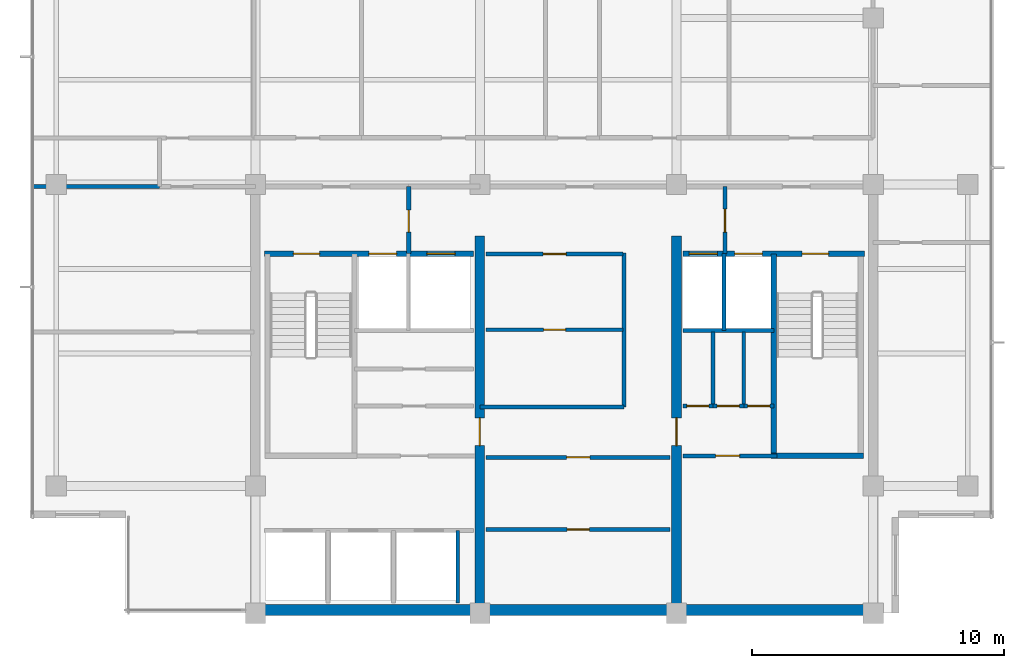
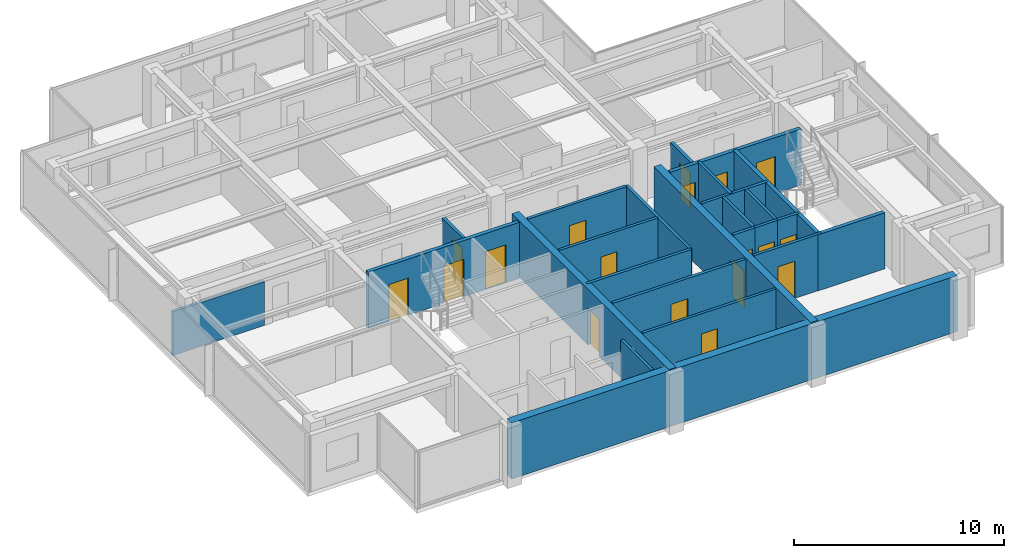
# One storey, part 6 of 11: 25 walls, 18 doors, 18 openings.
"""IFC4 building model written with IfcOpenShell, lengths in metres."""

from ifc_helpers import new_model, si_unit, direction, frame, frame_2d, origin, place, context, subcontext, project, spatial, rectangle, extrude, material, layer, layer_set, type_object, element, fill, save


model = new_model("IFC4")

# Units and contexts
model_context = context("Model", 3, precision=1e-05, world=origin(), true_north=direction((0.0, 1.0)))
body_context = subcontext(model_context, "Body", "Model", "MODEL_VIEW")
ifc_project = project(units=[si_unit("LENGTHUNIT", "METRE"), si_unit("AREAUNIT", "SQUARE_METRE"), si_unit("VOLUMEUNIT", "CUBIC_METRE"), si_unit("PLANEANGLEUNIT", "RADIAN"), si_unit("MASSUNIT", "GRAM", prefix="KILO")], contexts=[model_context])

# Site, building, storey
site_placement = place(None, origin())
site = spatial("IfcSite", under=ifc_project, at=site_placement, CompositionType="ELEMENT")
building_placement = place(site_placement, origin())
building = spatial("IfcBuilding", under=site, at=building_placement, Name="Qalmaran Belvedere Hotel", CompositionType="ELEMENT")
storey_placement = place(building_placement, frame((0.0, 0.0, 249.39990234375)))
storey = spatial("IfcBuildingStorey", under=building, at=storey_placement, Name="L64", CompositionType="ELEMENT", Elevation=249.39990234375)

# Wall, opening, door
ifc_material_1 = material(Name="Concrete C50/60", Category="concrete")
ifc_layer_1 = layer(ifc_material_1, 0.3798828125, Name="Concrete C50/60")
ifc_layer_set_1 = layer_set([ifc_layer_1], Name="Concrete C50/60")
wall_type_1 = type_object("IfcWallType", Name="WL-CORE-380-C50", PredefinedType="SHEAR", material=ifc_layer_set_1)
wall_1_placement = place(storey_placement, frame((29.199951171875, 3.5, 0.0), z_axis=(0.0, 0.0, 1.0), x_axis=(0.0, 1.0, 0.0)))
wall_1 = element("IfcWall", 1, at=wall_1_placement, inside=storey, type_object=wall_type_1, Name="L64 Core West Spine Shear Wall", PredefinedType="SHEAR", context=body_context, shape_type="SweptSolid", body=[
    extrude(rectangle(XDim=14.949951171875, YDim=0.3798828125, at=frame_2d((7.47509765625, 0.0))), origin(), (0.0, 0.0, 1.0), 3.260009765625),
])
opening_1_placement = place(wall_1_placement, frame((7.75, 0.0, 0.0), z_axis=(0.0, 0.0, 1.0), x_axis=(-1.0, 0.0, 0.0)))
opening_1 = element("IfcOpeningElement", 2, at=opening_1_placement, cuts=wall_1, Name="Opening FD90", PredefinedType="OPENING", context=body_context, shape_type="SweptSolid", body=[
    extrude(rectangle(XDim=1.10009765625, YDim=2.14990234375, at=frame_2d((0.550048828125, 1.074951171875))), frame((0.0, 0.199951171875, 0.0), z_axis=(0.0, -1.0, 0.0), x_axis=(1.0, 0.0, 0.0)), (0.0, 0.0, 1.0), 0.39990234375),
])
ifc_material_2 = material(Name="Steel S355JR", Category="steel")
door_type_1 = type_object("IfcDoorType", Name="DR-FD90-1100X2150", OperationType="NOTDEFINED", PredefinedType="DOOR", material=ifc_material_2)
door_1_placement = place(opening_1_placement, origin())
door_1 = element("IfcDoor", 3, at=door_1_placement, inside=storey, type_object=door_type_1, Name="L64 Core West Cross-Lobby Door", OperationType="SINGLE_SWING_RIGHT", OverallHeight=2.14990234375, OverallWidth=1.10009765625, PredefinedType="DOOR", context=body_context, shape_type="SweptSolid", body=[
    extrude(rectangle(XDim=1.10009765625, YDim=2.14990234375, at=frame_2d((0.550048828125, 1.074951171875))), frame((0.0, 0.02490234375, 0.0), z_axis=(0.0, -1.0, 0.0), x_axis=(1.0, 0.0, 0.0)), (0.0, 0.0, 1.0), 0.050048828125),
])
fill(opening_1, door_1)

wall_2_placement = place(storey_placement, frame((37.0, 3.5, 0.0), z_axis=(0.0, 0.0, 1.0), x_axis=(0.0, 1.0, 0.0)))
wall_2 = element("IfcWall", 4, at=wall_2_placement, inside=storey, type_object=wall_type_1, Name="L64 Core East Spine Shear Wall", PredefinedType="SHEAR", context=body_context, shape_type="SweptSolid", body=[
    extrude(rectangle(XDim=14.949951171875, YDim=0.3798828125, at=frame_2d((7.47509765625, 0.0))), origin(), (0.0, 0.0, 1.0), 3.260009765625),
])
opening_2_placement = place(wall_2_placement, frame((6.64990234375, 0.0, 0.0)))
opening_2 = element("IfcOpeningElement", 5, at=opening_2_placement, cuts=wall_2, Name="Opening FD90", PredefinedType="OPENING", context=body_context, shape_type="SweptSolid", body=[
    extrude(rectangle(XDim=1.10009765625, YDim=2.14990234375, at=frame_2d((0.550048828125, 1.074951171875))), frame((0.0, 0.199951171875, 0.0), z_axis=(0.0, -1.0, 0.0), x_axis=(1.0, 0.0, 0.0)), (0.0, 0.0, 1.0), 0.39990234375),
])
door_2_placement = place(opening_2_placement, origin())
door_2 = element("IfcDoor", 6, at=door_2_placement, inside=storey, type_object=door_type_1, Name="L64 Core East Cross-Lobby Door", OperationType="SINGLE_SWING_LEFT", OverallHeight=2.14990234375, OverallWidth=1.10009765625, PredefinedType="DOOR", context=body_context, shape_type="SweptSolid", body=[
    extrude(rectangle(XDim=1.10009765625, YDim=2.14990234375, at=frame_2d((0.550048828125, 1.074951171875))), frame((0.0, 0.02490234375, 0.0), z_axis=(0.0, -1.0, 0.0), x_axis=(1.0, 0.0, 0.0)), (0.0, 0.0, 1.0), 0.050048828125),
])
fill(opening_2, door_2)

# Walls
ifc_layer_2 = layer(ifc_material_1, 0.43994140625, Name="Concrete C50/60")
ifc_layer_set_2 = layer_set([ifc_layer_2], Name="Concrete C50/60")
wall_type_2 = type_object("IfcWallType", Name="WL-CORES-440-EXT", PredefinedType="SHEAR", material=ifc_layer_set_2)
wall_3_placement = place(storey_placement, frame((20.300048828125, 3.6298828125, 0.0), z_axis=(0.0, 0.0, 1.0), x_axis=(1.0, 0.0, 0.0)))
element("IfcWall", 7, at=wall_3_placement, inside=storey, type_object=wall_type_2, Name="L64 South Core Shear Wall", PredefinedType="SHEAR", context=body_context, shape_type="SweptSolid", body=[
    extrude(rectangle(XDim=24.5, YDim=0.43994140625, at=frame_2d((12.25, 0.0))), origin(), (0.0, 0.0, 1.0), 3.260009765625),
])
ifc_material_3 = material(Name="Gypsum Stud Partition")
ifc_layer_3 = layer(ifc_material_3, 0.14990234375, Name="Gypsum Stud Partition")
ifc_layer_set_3 = layer_set([ifc_layer_3], Name="Gypsum Stud Partition")
wall_type_3 = type_object("IfcWallType", Name="WL-INT-150-EI120", PredefinedType="PARTITIONING", material=ifc_layer_set_3)
wall_4_placement = place(storey_placement, frame((38.8798828125, 14.719970703125, 0.0), z_axis=(0.0, 0.0, 1.0), x_axis=(0.0, 1.0, 0.0)))
element("IfcWall", 8, at=wall_4_placement, inside=storey, type_object=wall_type_3, Name="L64 Partition WL-FF2M-L64", PredefinedType="PARTITIONING", context=body_context, shape_type="SweptSolid", body=[
    extrude(rectangle(XDim=3.0400390625, YDim=0.14990234375, at=frame_2d((1.52001953125, 0.0))), origin(), (0.0, 0.0, 1.0), 3.260009765625),
])
wall_5_placement = place(storey_placement, frame((28.320068359375, 3.89990234375, 0.0), z_axis=(0.0, 0.0, 1.0), x_axis=(0.0, 1.0, 0.0)))
element("IfcWall", 9, at=wall_5_placement, inside=storey, type_object=wall_type_3, Name="L64 Partition WL-POM3-L64", PredefinedType="PARTITIONING", context=body_context, shape_type="SweptSolid", body=[
    extrude(rectangle(XDim=2.880126953125, YDim=0.14990234375, at=frame_2d((1.43994140625, 0.0))), origin(), (0.0, 0.0, 1.0), 3.260009765625),
])
ifc_layer_4 = layer(ifc_material_3, 0.14990234375, Name="Gypsum Stud Partition")
ifc_layer_set_4 = layer_set([ifc_layer_4], Name="Gypsum Stud Partition")
wall_type_4 = type_object("IfcWallType", Name="WL-INT-150-EI60", PredefinedType="PARTITIONING", material=ifc_layer_set_4)
for number, where, z_axis, x_axis, name in (
    (10, (38.44140625, 11.719970703125, 0.0), (0.0, 0.0, 1.0), (0.0, 1.0, 0.0), "L64 Partition WL-L64-KEV1"),
    (11, (39.668701171875, 11.719970703125, 0.0), (0.0, 0.0, 1.0), (0.0, 1.0, 0.0), "L64 Partition WL-L64-KEV2"),
):
    element("IfcWall", number, at=place(storey_placement, frame(where, z_axis=z_axis, x_axis=x_axis)), inside=storey, type_object=wall_type_4, Name=name, PredefinedType="PARTITIONING", context=body_context, shape_type="SweptSolid", body=[
        extrude(rectangle(XDim=2.929931640625, YDim=0.14990234375, at=frame_2d((1.46484375, 0.0))), origin(), (0.0, 0.0, 1.0), 3.260009765625),
    ])

# Wall, opening, door
wall_6_placement = place(storey_placement, frame((29.449951171875, 6.81494140625, 0.0), z_axis=(0.0, 0.0, 1.0), x_axis=(1.0, 0.0, 0.0)))
wall_6 = element("IfcWall", 12, at=wall_6_placement, inside=storey, type_object=wall_type_4, Name="L64 Partition WL-L64-KPLHM", PredefinedType="PARTITIONING", context=body_context, shape_type="SweptSolid", body=[
    extrude(rectangle(XDim=7.300048828125, YDim=0.14990234375, at=frame_2d((3.64990234375, 0.0))), origin(), (0.0, 0.0, 1.0), 3.260009765625),
])
opening_3_placement = place(wall_6_placement, frame((4.08984375, 0.0, 0.0), z_axis=(0.0, 0.0, 1.0), x_axis=(-1.0, 0.0, 0.0)))
opening_3 = element("IfcOpeningElement", 13, at=opening_3_placement, cuts=wall_6, Name="Opening FD60B", PredefinedType="OPENING", context=body_context, shape_type="SweptSolid", body=[
    extrude(rectangle(XDim=0.8798828125, YDim=2.080078125, at=frame_2d((0.43994140625, 1.0400390625))), frame((0.0, 0.0849609375, 0.0), z_axis=(0.0, -1.0, 0.0), x_axis=(1.0, 0.0, 0.0)), (0.0, 0.0, 1.0), 0.169921875),
])
door_type_2 = type_object("IfcDoorType", Name="DR-FD60B-880X2080", OperationType="NOTDEFINED", PredefinedType="DOOR", material=ifc_material_2)
door_3_placement = place(opening_3_placement, origin())
door_3 = element("IfcDoor", 14, at=door_3_placement, inside=storey, type_object=door_type_2, Name="L64 Housekeeping and Linen Room Door", OperationType="SINGLE_SWING_LEFT", OverallHeight=2.080078125, OverallWidth=0.8798828125, PredefinedType="DOOR", context=body_context, shape_type="SweptSolid", body=[
    extrude(rectangle(XDim=0.8798828125, YDim=2.080078125, at=frame_2d((0.43994140625, 1.0400390625))), frame((0.0, 0.02490234375, 0.0), z_axis=(0.0, -1.0, 0.0), x_axis=(1.0, 0.0, 0.0)), (0.0, 0.0, 1.0), 0.050048828125),
])
fill(opening_3, door_3)

wall_7_placement = place(storey_placement, frame((29.449951171875, 14.7451171875, 0.0), z_axis=(0.0, 0.0, 1.0), x_axis=(1.0, 0.0, 0.0)))
wall_7 = element("IfcWall", 15, at=wall_7_placement, inside=storey, type_object=wall_type_4, Name="L64 Partition WL-L64-KPMHM", PredefinedType="PARTITIONING", context=body_context, shape_type="SweptSolid", body=[
    extrude(rectangle(XDim=5.429931640625, YDim=0.14990234375, at=frame_2d((2.71484375, 0.0))), origin(), (0.0, 0.0, 1.0), 3.260009765625),
])
opening_4_placement = place(wall_7_placement, frame((3.15478515625, 0.0, 0.0), z_axis=(0.0, 0.0, 1.0), x_axis=(-1.0, 0.0, 0.0)))
opening_4 = element("IfcOpeningElement", 16, at=opening_4_placement, cuts=wall_7, Name="Opening FD60B", PredefinedType="OPENING", context=body_context, shape_type="SweptSolid", body=[
    extrude(rectangle(XDim=0.8798828125, YDim=2.080078125, at=frame_2d((0.43994140625, 1.0400390625))), frame((0.0, 0.0849609375, 0.0), z_axis=(0.0, -1.0, 0.0), x_axis=(1.0, 0.0, 0.0)), (0.0, 0.0, 1.0), 0.169921875),
])
door_4_placement = place(opening_4_placement, origin())
door_4 = element("IfcDoor", 17, at=door_4_placement, inside=storey, type_object=door_type_2, Name="L64 Executive Butler Pantry Door", OperationType="SINGLE_SWING_LEFT", OverallHeight=2.080078125, OverallWidth=0.8798828125, PredefinedType="DOOR", context=body_context, shape_type="SweptSolid", body=[
    extrude(rectangle(XDim=0.8798828125, YDim=2.080078125, at=frame_2d((0.43994140625, 1.0400390625))), frame((0.0, 0.02490234375, 0.0), z_axis=(0.0, -1.0, 0.0), x_axis=(1.0, 0.0, 0.0)), (0.0, 0.0, 1.0), 0.050048828125),
])
fill(opening_4, door_4)

ifc_layer_5 = layer(ifc_material_3, 0.159912109375, Name="Gypsum Stud Partition")
ifc_layer_set_5 = layer_set([ifc_layer_5], Name="Gypsum Stud Partition")
wall_type_5 = type_object("IfcWallType", Name="WL-INT-160-EI120", PredefinedType="PARTITIONING", material=ifc_layer_set_5)
wall_8_placement = place(storey_placement, frame((26.3798828125, 17.760009765625, 0.0), z_axis=(0.0, 0.0, 1.0), x_axis=(0.0, 1.0, 0.0)))
wall_8 = element("IfcWall", 18, at=wall_8_placement, inside=storey, type_object=wall_type_5, Name="L64 Partition WL-FFSV1-L64", PredefinedType="PARTITIONING", context=body_context, shape_type="SweptSolid", body=[
    extrude(rectangle(XDim=2.659912109375, YDim=0.159912109375, at=frame_2d((1.330078125, 0.0))), origin(), (0.0, 0.0, 1.0), 2.781982421875),
])
opening_5_placement = place(wall_8_placement, frame((0.85009765625, 0.0, 0.0)))
opening_5 = element("IfcOpeningElement", 19, at=opening_5_placement, cuts=wall_8, Name="Opening FD60B", PredefinedType="OPENING", context=body_context, shape_type="SweptSolid", body=[
    extrude(rectangle(XDim=0.8798828125, YDim=2.080078125, at=frame_2d((0.43994140625, 1.0400390625))), frame((0.0, 0.08984375, 0.0), z_axis=(0.0, -1.0, 0.0), x_axis=(1.0, 0.0, 0.0)), (0.0, 0.0, 1.0), 0.179931640625),
])
door_5_placement = place(opening_5_placement, origin())
door_5 = element("IfcDoor", 20, at=door_5_placement, inside=storey, type_object=door_type_2, Name="L64 Service Lobby West Door", OperationType="SINGLE_SWING_RIGHT", OverallHeight=2.080078125, OverallWidth=0.8798828125, PredefinedType="DOOR", context=body_context, shape_type="SweptSolid", body=[
    extrude(rectangle(XDim=0.8798828125, YDim=2.080078125, at=frame_2d((0.43994140625, 1.0400390625))), frame((0.0, 0.02490234375, 0.0), z_axis=(0.0, -1.0, 0.0), x_axis=(1.0, 0.0, 0.0)), (0.0, 0.0, 1.0), 0.050048828125),
])
fill(opening_5, door_5)

wall_9_placement = place(storey_placement, frame((38.919921875, 17.760009765625, 0.0), z_axis=(0.0, 0.0, 1.0), x_axis=(0.0, 1.0, 0.0)))
wall_9 = element("IfcWall", 21, at=wall_9_placement, inside=storey, type_object=wall_type_5, Name="L64 Partition WL-FFSV2-L64", PredefinedType="PARTITIONING", context=body_context, shape_type="SweptSolid", body=[
    extrude(rectangle(XDim=2.659912109375, YDim=0.159912109375, at=frame_2d((1.330078125, 0.0))), origin(), (0.0, 0.0, 1.0), 2.781982421875),
])
opening_6_placement = place(wall_9_placement, frame((1.77001953125, 0.0, 0.0), z_axis=(0.0, 0.0, 1.0), x_axis=(-1.0, 0.0, 0.0)))
opening_6 = element("IfcOpeningElement", 22, at=opening_6_placement, cuts=wall_9, Name="Opening FD60S1", PredefinedType="OPENING", context=body_context, shape_type="SweptSolid", body=[
    extrude(rectangle(XDim=0.919921875, YDim=2.080078125, at=frame_2d((0.4599609375, 1.0400390625))), frame((0.0, 0.08984375, 0.0), z_axis=(0.0, -1.0, 0.0), x_axis=(1.0, 0.0, 0.0)), (0.0, 0.0, 1.0), 0.179931640625),
])
ifc_material_4 = material(Name="Engineered Oak Veneer")
door_type_3 = type_object("IfcDoorType", Name="DR-FD60S-920X2080", OperationType="NOTDEFINED", PredefinedType="DOOR", material=ifc_material_4)
door_6_placement = place(opening_6_placement, origin())
door_6 = element("IfcDoor", 23, at=door_6_placement, inside=storey, type_object=door_type_3, Name="L64 Service Lobby East Door", OperationType="SINGLE_SWING_LEFT", OverallHeight=2.080078125, OverallWidth=0.919921875, PredefinedType="DOOR", context=body_context, shape_type="SweptSolid", body=[
    extrude(rectangle(XDim=0.919921875, YDim=2.080078125, at=frame_2d((0.4599609375, 1.0400390625))), frame((0.0, 0.02490234375, 0.0), z_axis=(0.0, -1.0, 0.0), x_axis=(1.0, 0.0, 0.0)), (0.0, 0.0, 1.0), 0.050048828125),
])
fill(opening_6, door_6)

# Wall
wall_10_placement = place(storey_placement, frame((37.25, 14.719970703125, 0.0), z_axis=(0.0, 0.0, 1.0), x_axis=(1.0, 0.0, 0.0)))
element("IfcWall", 24, at=wall_10_placement, inside=storey, type_object=wall_type_5, Name="L64 Partition WL-FF2S-L64", PredefinedType="PARTITIONING", context=body_context, shape_type="SweptSolid", body=[
    extrude(rectangle(XDim=3.610107421875, YDim=0.159912109375, at=frame_2d((1.80517578125, 0.0))), origin(), (0.0, 0.0, 1.0), 3.260009765625),
])

# Wall, opening, door
ifc_layer_6 = layer(ifc_material_3, 0.159912109375, Name="Gypsum Stud Partition")
ifc_layer_set_6 = layer_set([ifc_layer_6], Name="Gypsum Stud Partition")
wall_type_6 = type_object("IfcWallType", Name="WL-INT-160-EI60", PredefinedType="PARTITIONING", material=ifc_layer_set_6)
wall_11_placement = place(storey_placement, frame((37.25, 11.719970703125, 0.0), z_axis=(0.0, 0.0, 1.0), x_axis=(1.0, 0.0, 0.0)))
wall_11 = element("IfcWall", 25, at=wall_11_placement, inside=storey, type_object=wall_type_6, Name="L64 Partition WL-L64-KEE1", PredefinedType="PARTITIONING", context=body_context, shape_type="SweptSolid", body=[
    extrude(rectangle(XDim=1.19140625, YDim=0.159912109375, at=frame_2d((0.595703125, 0.0))), origin(), (0.0, 0.0, 1.0), 3.260009765625),
])
opening_7_placement = place(wall_11_placement, frame((0.155517578125, 0.0, 0.0)))
opening_7 = element("IfcOpeningElement", 26, at=opening_7_placement, cuts=wall_11, Name="Opening FD60B", PredefinedType="OPENING", context=body_context, shape_type="SweptSolid", body=[
    extrude(rectangle(XDim=0.8798828125, YDim=2.080078125, at=frame_2d((0.43994140625, 1.0400390625))), frame((0.0, 0.08984375, 0.0), z_axis=(0.0, -1.0, 0.0), x_axis=(1.0, 0.0, 0.0)), (0.0, 0.0, 1.0), 0.179931640625),
])
door_7_placement = place(opening_7_placement, origin())
door_7 = element("IfcDoor", 27, at=door_7_placement, inside=storey, type_object=door_type_2, Name="L64 Hotel Linen Closet Door", OperationType="SINGLE_SWING_LEFT", OverallHeight=2.080078125, OverallWidth=0.8798828125, PredefinedType="DOOR", context=body_context, shape_type="SweptSolid", body=[
    extrude(rectangle(XDim=0.8798828125, YDim=2.080078125, at=frame_2d((0.43994140625, 1.0400390625))), frame((0.0, 0.02490234375, 0.0), z_axis=(0.0, -1.0, 0.0), x_axis=(1.0, 0.0, 0.0)), (0.0, 0.0, 1.0), 0.050048828125),
])
fill(opening_7, door_7)

wall_12_placement = place(storey_placement, frame((38.44140625, 11.719970703125, 0.0), z_axis=(0.0, 0.0, 1.0), x_axis=(1.0, 0.0, 0.0)))
wall_12 = element("IfcWall", 28, at=wall_12_placement, inside=storey, type_object=wall_type_6, Name="L64 Partition WL-L64-KEE2", PredefinedType="PARTITIONING", context=body_context, shape_type="SweptSolid", body=[
    extrude(rectangle(XDim=1.227294921875, YDim=0.159912109375, at=frame_2d((0.61376953125, 0.0))), origin(), (0.0, 0.0, 1.0), 3.260009765625),
])
opening_8_placement = place(wall_12_placement, frame((0.173583984375, 0.0, 0.0)))
opening_8 = element("IfcOpeningElement", 29, at=opening_8_placement, cuts=wall_12, Name="Opening FD60B", PredefinedType="OPENING", context=body_context, shape_type="SweptSolid", body=[
    extrude(rectangle(XDim=0.8798828125, YDim=2.080078125, at=frame_2d((0.43994140625, 1.0400390625))), frame((0.0, 0.08984375, 0.0), z_axis=(0.0, -1.0, 0.0), x_axis=(1.0, 0.0, 0.0)), (0.0, 0.0, 1.0), 0.179931640625),
])
door_8_placement = place(opening_8_placement, origin())
door_8 = element("IfcDoor", 30, at=door_8_placement, inside=storey, type_object=door_type_2, Name="L64 Guest Ice and Beverage Pantry Door", OperationType="SINGLE_SWING_RIGHT", OverallHeight=2.080078125, OverallWidth=0.8798828125, PredefinedType="DOOR", context=body_context, shape_type="SweptSolid", body=[
    extrude(rectangle(XDim=0.8798828125, YDim=2.080078125, at=frame_2d((0.43994140625, 1.0400390625))), frame((0.0, 0.02490234375, 0.0), z_axis=(0.0, -1.0, 0.0), x_axis=(1.0, 0.0, 0.0)), (0.0, 0.0, 1.0), 0.050048828125),
])
fill(opening_8, door_8)

wall_13_placement = place(storey_placement, frame((39.668701171875, 11.719970703125, 0.0), z_axis=(0.0, 0.0, 1.0), x_axis=(1.0, 0.0, 0.0)))
wall_13 = element("IfcWall", 31, at=wall_13_placement, inside=storey, type_object=wall_type_6, Name="L64 Partition WL-L64-KEE3", PredefinedType="PARTITIONING", context=body_context, shape_type="SweptSolid", body=[
    extrude(rectangle(XDim=1.19140625, YDim=0.159912109375, at=frame_2d((0.595703125, 0.0))), origin(), (0.0, 0.0, 1.0), 3.260009765625),
])
opening_9_placement = place(wall_13_placement, frame((0.155517578125, 0.0, 0.0)))
opening_9 = element("IfcOpeningElement", 32, at=opening_9_placement, cuts=wall_13, Name="Opening FD60B", PredefinedType="OPENING", context=body_context, shape_type="SweptSolid", body=[
    extrude(rectangle(XDim=0.8798828125, YDim=2.080078125, at=frame_2d((0.43994140625, 1.0400390625))), frame((0.0, 0.08984375, 0.0), z_axis=(0.0, -1.0, 0.0), x_axis=(1.0, 0.0, 0.0)), (0.0, 0.0, 1.0), 0.179931640625),
])
door_9_placement = place(opening_9_placement, origin())
door_9 = element("IfcDoor", 33, at=door_9_placement, inside=storey, type_object=door_type_2, Name="L64 Cleaner Equipment Store Door", OperationType="SINGLE_SWING_LEFT", OverallHeight=2.080078125, OverallWidth=0.8798828125, PredefinedType="DOOR", context=body_context, shape_type="SweptSolid", body=[
    extrude(rectangle(XDim=0.8798828125, YDim=2.080078125, at=frame_2d((0.43994140625, 1.0400390625))), frame((0.0, 0.02490234375, 0.0), z_axis=(0.0, -1.0, 0.0), x_axis=(1.0, 0.0, 0.0)), (0.0, 0.0, 1.0), 0.050048828125),
])
fill(opening_9, door_9)

wall_14_placement = place(storey_placement, frame((37.25, 9.739990234375, 0.0), z_axis=(0.0, 0.0, 1.0), x_axis=(1.0, 0.0, 0.0)))
wall_14 = element("IfcWall", 34, at=wall_14_placement, inside=storey, type_object=wall_type_6, Name="L64 Partition WL-PHFR-L64", PredefinedType="PARTITIONING", context=body_context, shape_type="SweptSolid", body=[
    extrude(rectangle(XDim=3.72998046875, YDim=0.159912109375, at=frame_2d((1.864990234375, 0.0))), origin(), (0.0, 0.0, 1.0), 3.260009765625),
])
opening_10_placement = place(wall_14_placement, frame((2.25, 0.0, 0.0), z_axis=(0.0, 0.0, 1.0), x_axis=(-1.0, 0.0, 0.0)))
opening_10 = element("IfcOpeningElement", 35, at=opening_10_placement, cuts=wall_14, Name="Opening FD60", PredefinedType="OPENING", context=body_context, shape_type="SweptSolid", body=[
    extrude(rectangle(XDim=0.949951171875, YDim=2.14990234375, at=frame_2d((0.47509765625, 1.074951171875))), frame((0.0, 0.08984375, 0.0), z_axis=(0.0, -1.0, 0.0), x_axis=(1.0, 0.0, 0.0)), (0.0, 0.0, 1.0), 0.179931640625),
])
door_type_4 = type_object("IfcDoorType", Name="DR-FD60-950X2150", OperationType="NOTDEFINED", PredefinedType="DOOR", material=ifc_material_4)
door_10_placement = place(opening_10_placement, origin())
door_10 = element("IfcDoor", 36, at=door_10_placement, inside=storey, type_object=door_type_4, Name="L64 Freed PH Room Door", OperationType="SINGLE_SWING_LEFT", OverallHeight=2.14990234375, OverallWidth=0.949951171875, PredefinedType="DOOR", context=body_context, shape_type="SweptSolid", body=[
    extrude(rectangle(XDim=0.949951171875, YDim=2.14990234375, at=frame_2d((0.47509765625, 1.074951171875))), frame((0.0, 0.02490234375, 0.0), z_axis=(0.0, -1.0, 0.0), x_axis=(1.0, 0.0, 0.0)), (0.0, 0.0, 1.0), 0.050048828125),
])
fill(opening_10, door_10)

# Wall
wall_15_placement = place(storey_placement, frame((34.919921875, 11.679931640625, 0.0), z_axis=(0.0, 0.0, 1.0), x_axis=(0.0, 1.0, 0.0)))
element("IfcWall", 37, at=wall_15_placement, inside=storey, type_object=wall_type_6, Name="L64 Partition WL-CLLV-L64", PredefinedType="PARTITIONING", context=body_context, shape_type="SweptSolid", body=[
    extrude(rectangle(XDim=6.10009765625, YDim=0.159912109375, at=frame_2d((3.050048828125, 0.0))), origin(), (0.0, 0.0, 1.0), 3.260009765625),
])

# Wall, opening, door
wall_16_placement = place(storey_placement, frame((29.449951171875, 9.679931640625, 0.0), z_axis=(0.0, 0.0, 1.0), x_axis=(1.0, 0.0, 0.0)))
wall_16 = element("IfcWall", 38, at=wall_16_placement, inside=storey, type_object=wall_type_6, Name="L64 Partition WL-L64-KPLE1", PredefinedType="PARTITIONING", context=body_context, shape_type="SweptSolid", body=[
    extrude(rectangle(XDim=7.300048828125, YDim=0.159912109375, at=frame_2d((3.64990234375, 0.0))), origin(), (0.0, 0.0, 1.0), 3.260009765625),
])
opening_11_placement = place(wall_16_placement, frame((4.10986328125, 0.0, 0.0), z_axis=(0.0, 0.0, 1.0), x_axis=(-1.0, 0.0, 0.0)))
opening_11 = element("IfcOpeningElement", 39, at=opening_11_placement, cuts=wall_16, Name="Opening FD60S1", PredefinedType="OPENING", context=body_context, shape_type="SweptSolid", body=[
    extrude(rectangle(XDim=0.919921875, YDim=2.080078125, at=frame_2d((0.4599609375, 1.0400390625))), frame((0.0, 0.08984375, 0.0), z_axis=(0.0, -1.0, 0.0), x_axis=(1.0, 0.0, 0.0)), (0.0, 0.0, 1.0), 0.179931640625),
])
door_11_placement = place(opening_11_placement, origin())
door_11 = element("IfcDoor", 40, at=door_11_placement, inside=storey, type_object=door_type_3, Name="L64 Guest Valet Supply Store Door", OperationType="SINGLE_SWING_RIGHT", OverallHeight=2.080078125, OverallWidth=0.919921875, PredefinedType="DOOR", context=body_context, shape_type="SweptSolid", body=[
    extrude(rectangle(XDim=0.919921875, YDim=2.080078125, at=frame_2d((0.4599609375, 1.0400390625))), frame((0.0, 0.02490234375, 0.0), z_axis=(0.0, -1.0, 0.0), x_axis=(1.0, 0.0, 0.0)), (0.0, 0.0, 1.0), 0.050048828125),
])
fill(opening_11, door_11)

# Wall
wall_17_placement = place(storey_placement, frame((29.199951171875, 11.679931640625, 0.0), z_axis=(0.0, 0.0, 1.0), x_axis=(1.0, 0.0, 0.0)))
element("IfcWall", 41, at=wall_17_placement, inside=storey, type_object=wall_type_6, Name="L64 Partition WL-PMFS-L64", PredefinedType="PARTITIONING", context=body_context, shape_type="SweptSolid", body=[
    extrude(rectangle(XDim=5.719970703125, YDim=0.159912109375, at=frame_2d((2.85986328125, 0.0))), origin(), (0.0, 0.0, 1.0), 3.260009765625),
])

# Wall, opening, door
wall_18_placement = place(storey_placement, frame((29.449951171875, 17.75, 0.0), z_axis=(0.0, 0.0, 1.0), x_axis=(1.0, 0.0, 0.0)))
wall_18 = element("IfcWall", 42, at=wall_18_placement, inside=storey, type_object=wall_type_6, Name="L64 Partition WL-L64-KPME1", PredefinedType="PARTITIONING", context=body_context, shape_type="SweptSolid", body=[
    extrude(rectangle(XDim=5.429931640625, YDim=0.159912109375, at=frame_2d((2.71484375, 0.0))), origin(), (0.0, 0.0, 1.0), 3.260009765625),
])
opening_12_placement = place(wall_18_placement, frame((3.1748046875, 0.0, 0.0), z_axis=(0.0, 0.0, 1.0), x_axis=(-1.0, 0.0, 0.0)))
opening_12 = element("IfcOpeningElement", 43, at=opening_12_placement, cuts=wall_18, Name="Opening FD60S1", PredefinedType="OPENING", context=body_context, shape_type="SweptSolid", body=[
    extrude(rectangle(XDim=0.919921875, YDim=2.080078125, at=frame_2d((0.4599609375, 1.0400390625))), frame((0.0, 0.08984375, 0.0), z_axis=(0.0, -1.0, 0.0), x_axis=(1.0, 0.0, 0.0)), (0.0, 0.0, 1.0), 0.179931640625),
])
door_12_placement = place(opening_12_placement, origin())
door_12 = element("IfcDoor", 44, at=door_12_placement, inside=storey, type_object=door_type_3, Name="L64 Core Tableware Store Door", OperationType="SINGLE_SWING_RIGHT", OverallHeight=2.080078125, OverallWidth=0.919921875, PredefinedType="DOOR", context=body_context, shape_type="SweptSolid", body=[
    extrude(rectangle(XDim=0.919921875, YDim=2.080078125, at=frame_2d((0.4599609375, 1.0400390625))), frame((0.0, 0.02490234375, 0.0), z_axis=(0.0, -1.0, 0.0), x_axis=(1.0, 0.0, 0.0)), (0.0, 0.0, 1.0), 0.050048828125),
])
fill(opening_12, door_12)

# Wall
wall_19_placement = place(storey_placement, frame((11.469970703125, 20.419921875, 0.0), z_axis=(0.0, 0.0, 1.0), x_axis=(1.0, 0.0, 0.0)))
element("IfcWall", 45, at=wall_19_placement, inside=storey, type_object=wall_type_6, Name="L64 Partition WL-L64-C4WS1", PredefinedType="PARTITIONING", context=body_context, shape_type="SweptSolid", body=[
    extrude(rectangle(XDim=5.030029296875, YDim=0.159912109375, at=frame_2d((2.51513671875, 0.0))), origin(), (0.0, 0.0, 1.0), 2.550048828125),
])

# Wall, openings, doors
ifc_layer_7 = layer(ifc_material_1, 0.2099609375, Name="Concrete C50/60")
ifc_layer_set_7 = layer_set([ifc_layer_7], Name="Concrete C50/60")
wall_type_7 = type_object("IfcWallType", Name="WL-STAIR-210-C50", PredefinedType="SHEAR", material=ifc_layer_set_7)
wall_20_placement = place(storey_placement, frame((20.64990234375, 17.7548828125, 0.0), z_axis=(0.0, 0.0, 1.0), x_axis=(1.0, 0.0, 0.0)))
wall_20 = element("IfcWall", 46, at=wall_20_placement, inside=storey, type_object=wall_type_7, Name="L64 West Lobby and Stair ST-1 North Bearing Wall", PredefinedType="SHEAR", context=body_context, shape_type="SweptSolid", body=[
    extrude(rectangle(XDim=8.300048828125, YDim=0.2099609375, at=frame_2d((4.14990234375, 0.0))), origin(), (0.0, 0.0, 1.0), 3.260009765625),
])
opening_13_placement = place(wall_20_placement, frame((2.199951171875, 0.0, 0.0), z_axis=(0.0, 0.0, 1.0), x_axis=(-1.0, 0.0, 0.0)))
opening_13 = element("IfcOpeningElement", 47, at=opening_13_placement, cuts=wall_20, Name="Opening FD90S2", PredefinedType="OPENING", context=body_context, shape_type="SweptSolid", body=[
    extrude(rectangle(XDim=1.050048828125, YDim=2.14990234375, at=frame_2d((0.52490234375, 1.074951171875))), frame((0.0, 0.114990234375, 0.0), z_axis=(0.0, -1.0, 0.0), x_axis=(1.0, 0.0, 0.0)), (0.0, 0.0, 1.0), 0.22998046875),
])
opening_14_placement = place(wall_20_placement, frame((4.14990234375, 0.0, 0.0)))
opening_14 = element("IfcOpeningElement", 48, at=opening_14_placement, cuts=wall_20, Name="Opening LD-FF", PredefinedType="OPENING", context=body_context, shape_type="SweptSolid", body=[
    extrude(rectangle(XDim=1.10009765625, YDim=2.179931640625, at=frame_2d((0.550048828125, 1.08984375))), frame((0.0, 0.114990234375, 0.0), z_axis=(0.0, -1.0, 0.0), x_axis=(1.0, 0.0, 0.0)), (0.0, 0.0, 1.0), 0.22998046875),
])
opening_15_placement = place(wall_20_placement, frame((6.449951171875, 0.0, 0.0)))
opening_15 = element("IfcOpeningElement", 49, at=opening_15_placement, cuts=wall_20, Name="Opening LD-SV", PredefinedType="OPENING", context=body_context, shape_type="SweptSolid", body=[
    extrude(rectangle(XDim=1.1201171875, YDim=2.199951171875, at=frame_2d((0.56005859375, 1.10009765625))), frame((0.0, 0.114990234375, 0.0), z_axis=(0.0, -1.0, 0.0), x_axis=(1.0, 0.0, 0.0)), (0.0, 0.0, 1.0), 0.22998046875),
])
door_type_5 = type_object("IfcDoorType", Name="DR-FD90S-1050X2150", OperationType="NOTDEFINED", PredefinedType="DOOR", material=ifc_material_2)
door_13_placement = place(opening_13_placement, origin())
door_13 = element("IfcDoor", 50, at=door_13_placement, inside=storey, type_object=door_type_5, Name="L64 Stair ST-1 Door", OperationType="SINGLE_SWING_RIGHT", OverallHeight=2.14990234375, OverallWidth=1.050048828125, PredefinedType="DOOR", context=body_context, shape_type="SweptSolid", body=[
    extrude(rectangle(XDim=1.050048828125, YDim=2.14990234375, at=frame_2d((0.52490234375, 1.074951171875))), frame((0.0, 0.02490234375, 0.0), z_axis=(0.0, -1.0, 0.0), x_axis=(1.0, 0.0, 0.0)), (0.0, 0.0, 1.0), 0.050048828125),
])
fill(opening_13, door_13)
ifc_material_5 = material(Name="Stainless Steel 1.4401", Category="steel")
door_type_6 = type_object("IfcDoorType", Name="DR-LIFT-FF-1100X2180", OperationType="DOUBLE_DOOR_SLIDING", PredefinedType="DOOR", material=ifc_material_5)
door_14_placement = place(opening_14_placement, origin())
door_14 = element("IfcDoor", 51, at=door_14_placement, inside=storey, type_object=door_type_6, Name="L64 FF1 Lift Landing Door", OperationType="DOUBLE_DOOR_SLIDING", OverallHeight=2.179931640625, OverallWidth=1.10009765625, PredefinedType="DOOR", context=body_context, shape_type="SweptSolid", body=[
    extrude(rectangle(XDim=1.10009765625, YDim=2.179931640625, at=frame_2d((0.550048828125, 1.08984375))), frame((0.0, 0.02490234375, 0.0), z_axis=(0.0, -1.0, 0.0), x_axis=(1.0, 0.0, 0.0)), (0.0, 0.0, 1.0), 0.050048828125),
])
fill(opening_14, door_14)
door_type_7 = type_object("IfcDoorType", Name="DR-LIFT-SV-1120X2200", OperationType="DOUBLE_DOOR_SLIDING", PredefinedType="DOOR", material=ifc_material_5)
door_15_placement = place(opening_15_placement, origin())
door_15 = element("IfcDoor", 52, at=door_15_placement, inside=storey, type_object=door_type_7, Name="L64 SV1 Lift Landing Door", OperationType="DOUBLE_DOOR_SLIDING", OverallHeight=2.199951171875, OverallWidth=1.1201171875, PredefinedType="DOOR", context=body_context, shape_type="SweptSolid", body=[
    extrude(rectangle(XDim=1.1201171875, YDim=2.199951171875, at=frame_2d((0.56005859375, 1.10009765625))), frame((0.0, 0.02490234375, 0.0), z_axis=(0.0, -1.0, 0.0), x_axis=(1.0, 0.0, 0.0)), (0.0, 0.0, 1.0), 0.050048828125),
])
fill(opening_15, door_15)

# Walls
wall_21_placement = place(storey_placement, frame((40.85498046875, 9.7451171875, 0.0), z_axis=(0.0, 0.0, 1.0), x_axis=(0.0, 1.0, 0.0)))
element("IfcWall", 53, at=wall_21_placement, inside=storey, type_object=wall_type_7, Name="L64 Stair ST-2 West Bearing Wall", PredefinedType="SHEAR", context=body_context, shape_type="SweptSolid", body=[
    extrude(rectangle(XDim=8.009765625, YDim=0.2099609375, at=frame_2d((4.0048828125, 0.0))), origin(), (0.0, 0.0, 1.0), 3.260009765625),
])
wall_22_placement = place(storey_placement, frame((40.75, 9.7451171875, 0.0), z_axis=(0.0, 0.0, 1.0), x_axis=(1.0, 0.0, 0.0)))
element("IfcWall", 54, at=wall_22_placement, inside=storey, type_object=wall_type_7, Name="L64 Stair ST-2 South Bearing Wall", PredefinedType="SHEAR", context=body_context, shape_type="SweptSolid", body=[
    extrude(rectangle(XDim=3.659912109375, YDim=0.2099609375, at=frame_2d((1.830078125, 0.0))), origin(), (0.0, 0.0, 1.0), 3.260009765625),
])

# Wall, openings, doors
wall_23_placement = place(storey_placement, frame((37.25, 17.7548828125, 0.0), z_axis=(0.0, 0.0, 1.0), x_axis=(1.0, 0.0, 0.0)))
wall_23 = element("IfcWall", 55, at=wall_23_placement, inside=storey, type_object=wall_type_7, Name="L64 East Lobby and Stair ST-2 North Bearing Wall", PredefinedType="SHEAR", context=body_context, shape_type="SweptSolid", body=[
    extrude(rectangle(XDim=7.199951171875, YDim=0.2099609375, at=frame_2d((3.60009765625, 0.0))), origin(), (0.0, 0.0, 1.0), 3.260009765625),
])
opening_16_placement = place(wall_23_placement, frame((0.25, 0.0, 0.0)))
opening_16 = element("IfcOpeningElement", 56, at=opening_16_placement, cuts=wall_23, Name="Opening LD-SV", PredefinedType="OPENING", context=body_context, shape_type="SweptSolid", body=[
    extrude(rectangle(XDim=1.1201171875, YDim=2.199951171875, at=frame_2d((0.56005859375, 1.10009765625))), frame((0.0, 0.114990234375, 0.0), z_axis=(0.0, -1.0, 0.0), x_axis=(1.0, 0.0, 0.0)), (0.0, 0.0, 1.0), 0.22998046875),
])
opening_17_placement = place(wall_23_placement, frame((2.050048828125, 0.0, 0.0)))
opening_17 = element("IfcOpeningElement", 57, at=opening_17_placement, cuts=wall_23, Name="Opening LD-FF", PredefinedType="OPENING", context=body_context, shape_type="SweptSolid", body=[
    extrude(rectangle(XDim=1.10009765625, YDim=2.179931640625, at=frame_2d((0.550048828125, 1.08984375))), frame((0.0, 0.114990234375, 0.0), z_axis=(0.0, -1.0, 0.0), x_axis=(1.0, 0.0, 0.0)), (0.0, 0.0, 1.0), 0.22998046875),
])
opening_18_placement = place(wall_23_placement, frame((5.780029296875, 0.0, 0.0), z_axis=(0.0, 0.0, 1.0), x_axis=(-1.0, 0.0, 0.0)))
opening_18 = element("IfcOpeningElement", 58, at=opening_18_placement, cuts=wall_23, Name="Opening FD90S2", PredefinedType="OPENING", context=body_context, shape_type="SweptSolid", body=[
    extrude(rectangle(XDim=1.050048828125, YDim=2.14990234375, at=frame_2d((0.52490234375, 1.074951171875))), frame((0.0, 0.114990234375, 0.0), z_axis=(0.0, -1.0, 0.0), x_axis=(1.0, 0.0, 0.0)), (0.0, 0.0, 1.0), 0.22998046875),
])
door_16_placement = place(opening_18_placement, origin())
door_16 = element("IfcDoor", 59, at=door_16_placement, inside=storey, type_object=door_type_5, Name="L64 Stair ST-2 Door", OperationType="SINGLE_SWING_LEFT", OverallHeight=2.14990234375, OverallWidth=1.050048828125, PredefinedType="DOOR", context=body_context, shape_type="SweptSolid", body=[
    extrude(rectangle(XDim=1.050048828125, YDim=2.14990234375, at=frame_2d((0.52490234375, 1.074951171875))), frame((0.0, 0.02490234375, 0.0), z_axis=(0.0, -1.0, 0.0), x_axis=(1.0, 0.0, 0.0)), (0.0, 0.0, 1.0), 0.050048828125),
])
fill(opening_18, door_16)
door_17_placement = place(opening_17_placement, origin())
door_17 = element("IfcDoor", 60, at=door_17_placement, inside=storey, type_object=door_type_6, Name="L64 FF2 Lift Landing Door", OperationType="DOUBLE_DOOR_SLIDING", OverallHeight=2.179931640625, OverallWidth=1.10009765625, PredefinedType="DOOR", context=body_context, shape_type="SweptSolid", body=[
    extrude(rectangle(XDim=1.10009765625, YDim=2.179931640625, at=frame_2d((0.550048828125, 1.08984375))), frame((0.0, 0.02490234375, 0.0), z_axis=(0.0, -1.0, 0.0), x_axis=(1.0, 0.0, 0.0)), (0.0, 0.0, 1.0), 0.050048828125),
])
fill(opening_17, door_17)
door_18_placement = place(opening_16_placement, origin())
door_18 = element("IfcDoor", 61, at=door_18_placement, inside=storey, type_object=door_type_7, Name="L64 SV2 Lift Landing Door", OperationType="DOUBLE_DOOR_SLIDING", OverallHeight=2.199951171875, OverallWidth=1.1201171875, PredefinedType="DOOR", context=body_context, shape_type="SweptSolid", body=[
    extrude(rectangle(XDim=1.1201171875, YDim=2.199951171875, at=frame_2d((0.56005859375, 1.10009765625))), frame((0.0, 0.02490234375, 0.0), z_axis=(0.0, -1.0, 0.0), x_axis=(1.0, 0.0, 0.0)), (0.0, 0.0, 1.0), 0.050048828125),
])
fill(opening_16, door_18)

save(model, "model.ifc")
